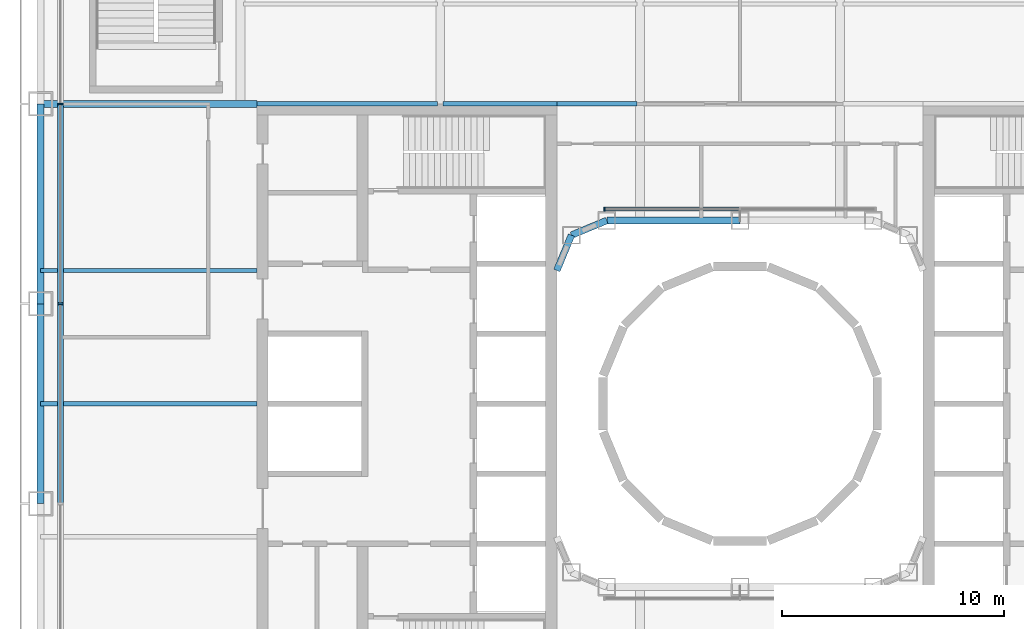
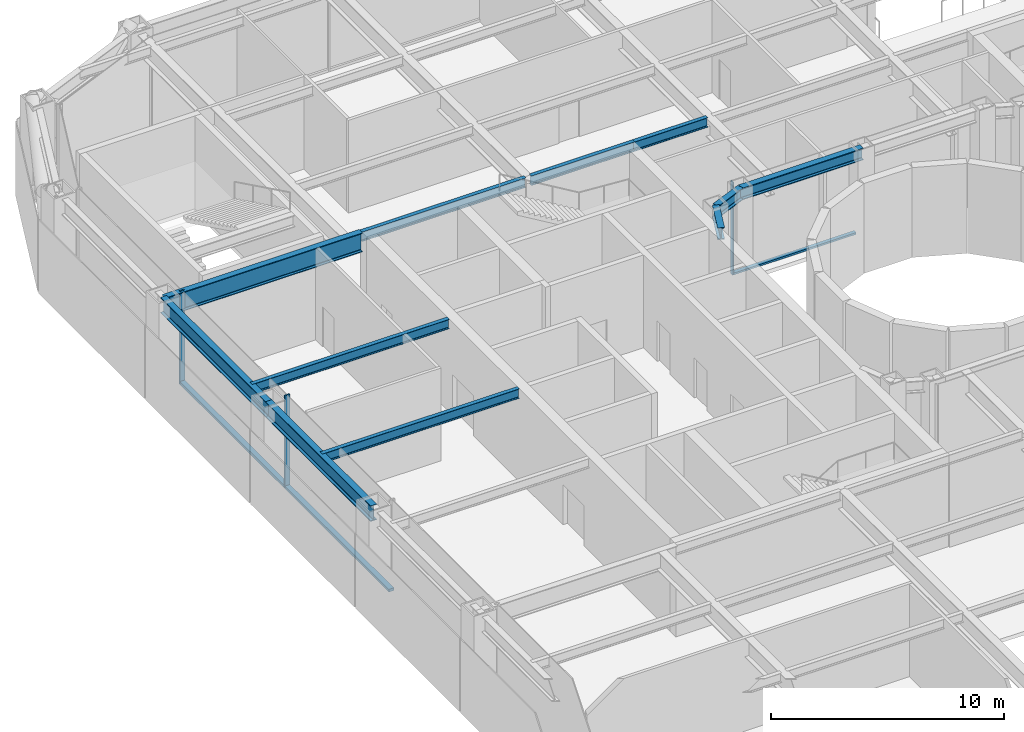
# One storey, part 6 of 24: 11 beams, 6 members, 2 elements without a shape of their own.
"""IFC4 building model written with IfcOpenShell, lengths in metres."""

from ifc_helpers import new_model, si_unit, direction, frame, origin, origin_2d, place, context, subcontext, project, spatial, rectangle, i_section, extrude, material, layer, layer_set, material_profile, profile_set, type_object, element, aggregate, save


model = new_model("IFC4")

# Units and contexts
model_context = context("Model", 3, precision=1e-05, world=origin(), true_north=direction((0.0, 1.0)))
body_context = subcontext(model_context, "Body", "Model", "MODEL_VIEW")
ifc_project = project(units=[si_unit("LENGTHUNIT", "METRE"), si_unit("AREAUNIT", "SQUARE_METRE"), si_unit("VOLUMEUNIT", "CUBIC_METRE"), si_unit("PLANEANGLEUNIT", "RADIAN"), si_unit("MASSUNIT", "GRAM", prefix="KILO")], contexts=[model_context])

# Site, building, storey
site_placement = place(None, origin())
site = spatial("IfcSite", under=ifc_project, at=site_placement, CompositionType="ELEMENT")
building_placement = place(site_placement, origin())
building = spatial("IfcBuilding", under=site, at=building_placement, Name="Siwar Civic Tower", CompositionType="ELEMENT")
storey_placement = place(building_placement, frame((0.0, 0.0, 12.199951171875)))
storey = spatial("IfcBuildingStorey", under=building, at=storey_placement, Name="L02", CompositionType="ELEMENT", Elevation=12.199951171875)

# Curtain wall, members
ifc_material_1 = material(Name="Aluminium and glass", Category="aluminium")
ifc_layer_1 = layer(ifc_material_1, 0.25)
ifc_layer_set_1 = layer_set([ifc_layer_1], Name="Aluminium and glass")
curtain_wall_type_1 = type_object("IfcCurtainWallType", Name="ENV-CW-H", PredefinedType="NOTDEFINED", material=ifc_layer_set_1)
curtain_wall_1_placement = place(storey_placement, origin())
curtain_wall_1 = element("IfcCurtainWall", 1, at=curtain_wall_1_placement, inside=storey, type_object=curtain_wall_type_1, Name="Curtain wall H W", PredefinedType="NOTDEFINED")
ifc_material_2 = material(Name="Aluminium 6063-T6", Category="aluminium")
ifc_material_profile_1 = material_profile(ifc_material_2, rectangle(XDim=0.25, YDim=0.080078125, at=origin_2d()), Name="AL 250x80")
ifc_profile_set_1 = profile_set([ifc_material_profile_1], Name="Aluminium 6063-T6")
member_type_1 = type_object("IfcMemberType", Name="ENV-MULLION-H", PredefinedType="MULLION", material=ifc_profile_set_1)
member_1_placement = place(storey_placement, frame((-30.60009765625, 13.5, 0.0), z_axis=(0.0, 0.0, 1.0), x_axis=(1.0, 0.0, 0.0)))
member_1 = element("IfcMember", 2, at=member_1_placement, type_object=member_type_1, Name="Mullion H W 2", PredefinedType="MULLION", context=body_context, shape_type="SweptSolid", body=[
    extrude(rectangle(XDim=0.25, YDim=0.080078125, at=origin_2d()), origin(), (0.0, 0.0, 1.0), 4.85009765625),
])
member_2_placement = place(storey_placement, frame((-30.60009765625, 4.5, 0.0), z_axis=(0.0, 0.0, 1.0), x_axis=(1.0, 0.0, 0.0)))
member_2 = element("IfcMember", 3, at=member_2_placement, type_object=member_type_1, Name="Mullion H W 3", PredefinedType="MULLION", context=body_context, shape_type="SweptSolid", body=[
    extrude(rectangle(XDim=0.25, YDim=0.080078125, at=origin_2d()), origin(), (0.0, 0.0, 1.0), 4.85009765625),
])

# Curtain wall, member
ifc_material_3 = material(Name="Aluminium and glass", Category="aluminium")
ifc_layer_2 = layer(ifc_material_3, 0.179931640625)
ifc_layer_set_2 = layer_set([ifc_layer_2], Name="Aluminium and glass")
curtain_wall_type_2 = type_object("IfcCurtainWallType", Name="ENV-CW-W", PredefinedType="NOTDEFINED", material=ifc_layer_set_2)
curtain_wall_2_placement = place(storey_placement, origin())
curtain_wall_2 = element("IfcCurtainWall", 4, at=curtain_wall_2_placement, inside=storey, type_object=curtain_wall_type_2, Name="Curtain wall W WN", PredefinedType="NOTDEFINED")
ifc_material_4 = material(Name="Aluminium 6063-T6", Category="aluminium")
ifc_material_profile_2 = material_profile(ifc_material_4, rectangle(XDim=0.179931640625, YDim=0.06005859375, at=origin_2d()), Name="AL 180x60")
ifc_profile_set_2 = profile_set([ifc_material_profile_2], Name="Aluminium 6063-T6")
member_type_2 = type_object("IfcMemberType", Name="ENV-MULLION-W", PredefinedType="MULLION", material=ifc_profile_set_2)
member_3_placement = place(storey_placement, frame((-6.1015625, 8.760009765625, 0.0), z_axis=(0.0, 0.0, 1.0), x_axis=(0.0, -1.0, 0.0)))
member_3 = element("IfcMember", 5, at=member_3_placement, type_object=member_type_2, Name="Mullion W WN 3", PredefinedType="MULLION", context=body_context, shape_type="SweptSolid", body=[
    extrude(rectangle(XDim=0.179931640625, YDim=0.06005859375, at=origin_2d()), origin(), (0.0, 0.0, 1.0), 4.85009765625),
])

# Member
ifc_material_5 = material(Name="Aluminium 6063-T6", Category="aluminium")
ifc_material_profile_3 = material_profile(ifc_material_5, rectangle(XDim=0.25, YDim=0.139892578125, at=origin_2d()), Name="AL 250x140")
ifc_profile_set_3 = profile_set([ifc_material_profile_3], Name="Aluminium 6063-T6")
member_type_3 = type_object("IfcMemberType", Name="ENV-TRANSOM-H", PredefinedType="USERDEFINED", material=ifc_profile_set_3)
member_4_placement = place(storey_placement, frame((-30.60009765625, 13.4599609375, 0.070068359375), z_axis=(0.0, -1.0, 0.0), x_axis=(1.0, 0.0, 0.0)))
member_4 = element("IfcMember", 6, at=member_4_placement, type_object=member_type_3, Name="Transom H W 2", ObjectType="TRANSOM", PredefinedType="USERDEFINED", context=body_context, shape_type="SweptSolid", body=[
    extrude(rectangle(XDim=0.25, YDim=0.139892578125, at=origin_2d()), origin(), (0.0, 0.0, 1.0), 8.919921875),
])

member_5_placement = place(storey_placement, frame((-30.60009765625, 4.4599609375, 0.070068359375), z_axis=(0.0, -1.0, 0.0), x_axis=(1.0, 0.0, 0.0)))
member_5 = element("IfcMember", 7, at=member_5_placement, type_object=member_type_3, Name="Transom H W 3", ObjectType="TRANSOM", PredefinedType="USERDEFINED", context=body_context, shape_type="SweptSolid", body=[
    extrude(rectangle(XDim=0.25, YDim=0.139892578125, at=origin_2d()), origin(), (0.0, 0.0, 1.0), 8.919921875),
])

aggregate(curtain_wall_1, [member_1, member_2, member_4, member_5])

ifc_material_6 = material(Name="Aluminium 6063-T6", Category="aluminium")
ifc_material_profile_4 = material_profile(ifc_material_6, rectangle(XDim=0.179931640625, YDim=0.10009765625, at=origin_2d()), Name="AL 180x100")
ifc_profile_set_4 = profile_set([ifc_material_profile_4], Name="Aluminium 6063-T6")
member_type_4 = type_object("IfcMemberType", Name="ENV-TRANSOM-W", PredefinedType="USERDEFINED", material=ifc_profile_set_4)
member_6_placement = place(storey_placement, frame((-0.030029296875, 8.760009765625, 0.050048828125), z_axis=(-1.0, 0.0, 0.0), x_axis=(0.0, -1.0, 0.0)))
member_6 = element("IfcMember", 8, at=member_6_placement, type_object=member_type_4, Name="Transom W WN 2", ObjectType="TRANSOM", PredefinedType="USERDEFINED", context=body_context, shape_type="SweptSolid", body=[
    extrude(rectangle(XDim=0.179931640625, YDim=0.10009765625, at=origin_2d()), origin(), (0.0, 0.0, 1.0), 6.04150390625),
])

aggregate(curtain_wall_2, [member_3, member_6])

# Beams
ifc_material_7 = material(Name="Steel S355", Category="steel")
ifc_material_profile_5 = material_profile(ifc_material_7, i_section(OverallWidth=0.199951171875, OverallDepth=0.5, WebThickness=0.01025390625, FlangeThickness=0.01611328125, FilletRadius=0.02099609375, at=origin_2d()), Name="IPE500")
ifc_profile_set_5 = profile_set([ifc_material_profile_5], Name="Steel S355")
beam_type_1 = type_object("IfcBeamType", Name="STR-FB-IPE500", PredefinedType="JOIST", material=ifc_profile_set_5)
for number, where, z_axis, x_axis, name in (
    (9, (-31.5, 0.0, 4.60009765625), (1.0, 0.0, 0.0), (0.0, 1.0, 0.0), "L02/bm/F031"),
    (10, (-31.5, 6.0, 4.60009765625), (1.0, 0.0, 0.0), (0.0, 1.0, 0.0), "L02/bm/F033"),
):
    element("IfcBeam", number, at=place(storey_placement, frame(where, z_axis=z_axis, x_axis=x_axis)), inside=storey, type_object=beam_type_1, Name=name, PredefinedType="JOIST", context=body_context, shape_type="SweptSolid", body=[
        extrude(i_section(OverallWidth=0.199951171875, OverallDepth=0.5, WebThickness=0.01025390625, FlangeThickness=0.01611328125, FilletRadius=0.02099609375, at=origin_2d()), origin(), (0.0, 0.0, 1.0), 9.75),
    ])
beam_1_placement = place(storey_placement, frame((-21.75, 13.5, 4.60009765625), z_axis=(1.0, 0.0, 0.0), x_axis=(0.0, 1.0, 0.0)))
element("IfcBeam", 11, at=beam_1_placement, inside=storey, type_object=beam_type_1, Name="L02/bm/F036", PredefinedType="JOIST", context=body_context, shape_type="SweptSolid", body=[
    extrude(i_section(OverallWidth=0.199951171875, OverallDepth=0.5, WebThickness=0.01025390625, FlangeThickness=0.01611328125, FilletRadius=0.02099609375, at=origin_2d()), origin(), (0.0, 0.0, 1.0), 8.1201171875),
])
beam_2_placement = place(storey_placement, frame((-13.3701171875, 13.5, 4.60009765625), z_axis=(1.0, 0.0, 0.0), x_axis=(0.0, 1.0, 0.0)))
element("IfcBeam", 12, at=beam_2_placement, inside=storey, type_object=beam_type_1, Name="L02/bm/F037", PredefinedType="JOIST", context=body_context, shape_type="SweptSolid", body=[
    extrude(i_section(OverallWidth=0.199951171875, OverallDepth=0.5, WebThickness=0.01025390625, FlangeThickness=0.01611328125, FilletRadius=0.02099609375, at=origin_2d()), origin(), (0.0, 0.0, 1.0), 5.1201171875),
])
beam_3_placement = place(storey_placement, frame((-8.25, 13.5, 4.60009765625), z_axis=(1.0, 0.0, 0.0), x_axis=(0.0, 1.0, 0.0)))
element("IfcBeam", 13, at=beam_3_placement, inside=storey, type_object=beam_type_1, Name="L02/bm/F038", PredefinedType="JOIST", context=body_context, shape_type="SweptSolid", body=[
    extrude(i_section(OverallWidth=0.199951171875, OverallDepth=0.5, WebThickness=0.01025390625, FlangeThickness=0.01611328125, FilletRadius=0.02099609375, at=origin_2d()), origin(), (0.0, 0.0, 1.0), 3.6201171875),
])
ifc_material_8 = material(Name="Steel S355", Category="steel")
ifc_material_profile_6 = material_profile(ifc_material_8, i_section(OverallWidth=0.300048828125, OverallDepth=1.0, WebThickness=0.01904296875, FlangeThickness=0.035888671875, FilletRadius=0.030029296875, at=origin_2d()), Name="HEB1000")
ifc_profile_set_6 = profile_set([ifc_material_profile_6], Name="Steel S355")
beam_type_2 = type_object("IfcBeamType", Name="STR-PG-HEB1000", PredefinedType="BEAM", material=ifc_profile_set_6)
beam_4_placement = place(storey_placement, frame((-31.5, 13.5, 4.35009765625), z_axis=(1.0, 0.0, 0.0), x_axis=(0.0, 1.0, 0.0)))
element("IfcBeam", 14, at=beam_4_placement, inside=storey, type_object=beam_type_2, Name="L02/bm/F035", PredefinedType="BEAM", context=body_context, shape_type="SweptSolid", body=[
    extrude(i_section(OverallWidth=0.300048828125, OverallDepth=1.0, WebThickness=0.01904296875, FlangeThickness=0.035888671875, FilletRadius=0.030029296875, at=origin_2d()), origin(), (0.0, 0.0, 1.0), 9.75),
])
ifc_material_9 = material(Name="Steel S355", Category="steel")
ifc_material_profile_7 = material_profile(ifc_material_9, i_section(OverallWidth=0.304931640625, OverallDepth=0.6201171875, WebThickness=0.02099609375, FlangeThickness=0.0400390625, FilletRadius=0.027099609375, at=origin_2d()), Name="HEM600")
ifc_profile_set_7 = profile_set([ifc_material_profile_7], Name="Steel S355")
beam_type_3 = type_object("IfcBeamType", Name="STR-RB-HEM600", PredefinedType="BEAM", material=ifc_profile_set_7)
beam_5_placement = place(storey_placement, frame((-7.591064453125, 7.591064453125, 4.5400390625), z_axis=(0.923901072997, 0.382631424892, 0.0), x_axis=(-0.382631424892, 0.923901072997, 0.0)))
element("IfcBeam", 15, at=beam_5_placement, inside=storey, type_object=beam_type_3, Name="L02/bm/RN0", PredefinedType="BEAM", context=body_context, shape_type="SweptSolid", body=[
    extrude(i_section(OverallWidth=0.304931640625, OverallDepth=0.6201171875, WebThickness=0.02099609375, FlangeThickness=0.0400390625, FilletRadius=0.027099609375, at=origin_2d()), origin(), (0.0, 0.0, 1.0), 1.72216796875),
])
beam_6_placement = place(storey_placement, frame((-6.0, 8.25, 4.5400390625), z_axis=(1.0, 0.0, 0.0), x_axis=(0.0, 1.0, 0.0)))
element("IfcBeam", 16, at=beam_6_placement, inside=storey, type_object=beam_type_3, Name="L02/bm/RN1", PredefinedType="BEAM", context=body_context, shape_type="SweptSolid", body=[
    extrude(i_section(OverallWidth=0.304931640625, OverallDepth=0.6201171875, WebThickness=0.02099609375, FlangeThickness=0.0400390625, FilletRadius=0.027099609375, at=origin_2d()), origin(), (0.0, 0.0, 1.0), 6.0),
])
beam_7_placement = place(storey_placement, frame((-7.591064453125, 7.591064453125, 4.5400390625), z_axis=(-0.382631424892, -0.923901072997, 0.0), x_axis=(0.923901072997, -0.382631424892, 0.0)))
element("IfcBeam", 17, at=beam_7_placement, inside=storey, type_object=beam_type_3, Name="L02/bm/RNEW", PredefinedType="BEAM", context=body_context, shape_type="SweptSolid", body=[
    extrude(i_section(OverallWidth=0.304931640625, OverallDepth=0.6201171875, WebThickness=0.02099609375, FlangeThickness=0.0400390625, FilletRadius=0.027099609375, at=origin_2d()), origin(), (0.0, 0.0, 1.0), 1.72216796875),
])
ifc_material_10 = material(Name="Steel S355", Category="steel")
ifc_material_profile_8 = material_profile(ifc_material_10, i_section(OverallWidth=0.302978515625, OverallDepth=0.81396484375, WebThickness=0.02099609375, FlangeThickness=0.0400390625, FilletRadius=0.030029296875, at=origin_2d()), Name="HEM800")
ifc_profile_set_8 = profile_set([ifc_material_profile_8], Name="Steel S355")
beam_type_4 = type_object("IfcBeamType", Name="STR-SB-HEM800", PredefinedType="BEAM", material=ifc_profile_set_8)
for number, where, z_axis, x_axis, name in (
    (18, (-31.5, 13.5, 4.443115234375), (0.0, -1.0, 0.0), (1.0, 0.0, 0.0), "L02/bm/SW-1"),
    (19, (-31.5, 4.5, 4.443115234375), (0.0, -1.0, 0.0), (1.0, 0.0, 0.0), "L02/bm/SW-2"),
):
    element("IfcBeam", number, at=place(storey_placement, frame(where, z_axis=z_axis, x_axis=x_axis)), inside=storey, type_object=beam_type_4, Name=name, PredefinedType="BEAM", context=body_context, shape_type="SweptSolid", body=[
        extrude(i_section(OverallWidth=0.302978515625, OverallDepth=0.81396484375, WebThickness=0.02099609375, FlangeThickness=0.0400390625, FilletRadius=0.030029296875, at=origin_2d()), origin(), (0.0, 0.0, 1.0), 9.0),
    ])

save(model, "model.ifc")
